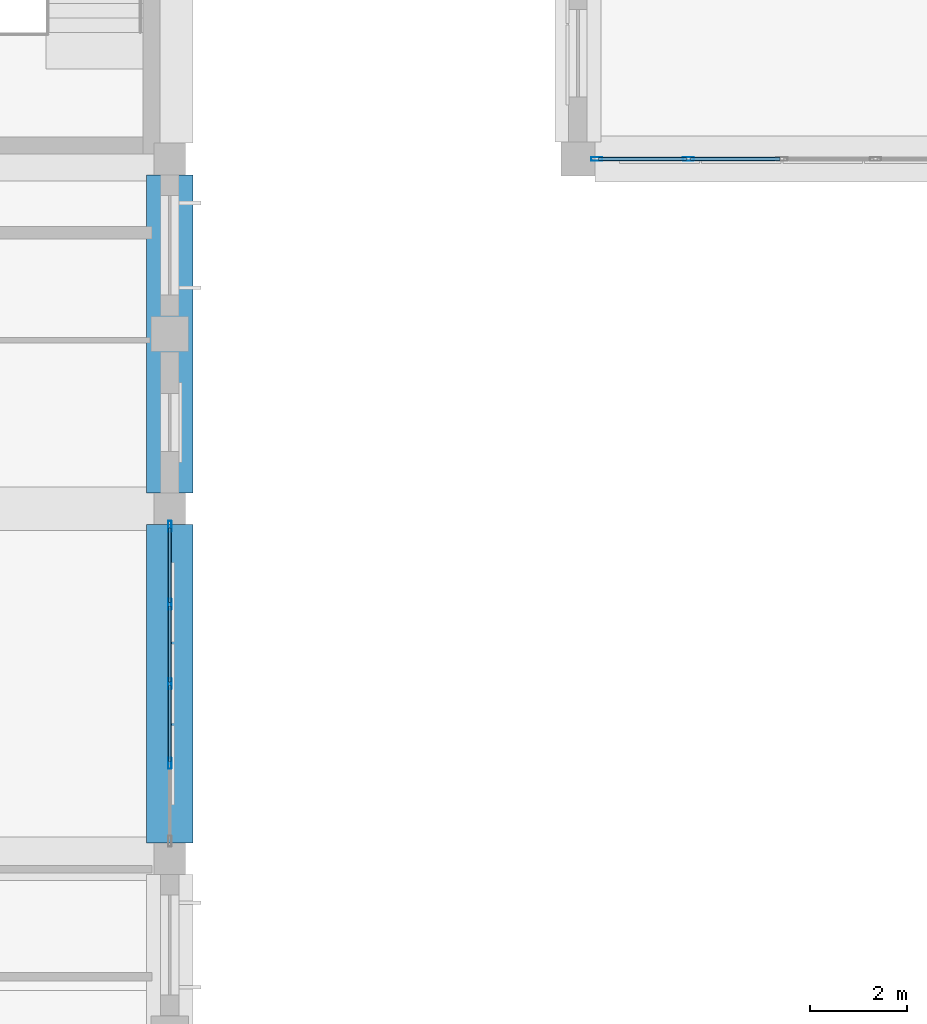
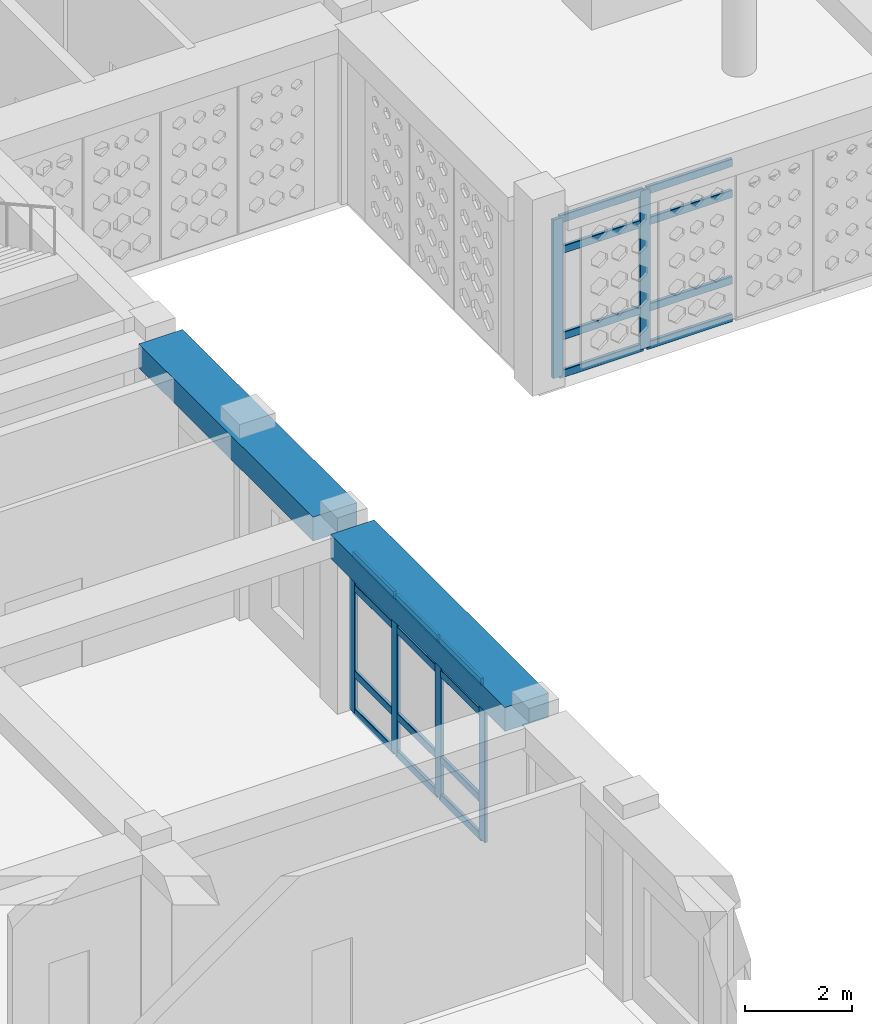
# One storey, part 9 of 79: 26 members, 2 beams, 2 elements without a shape of their own.
"""IFC4 building model written with IfcOpenShell, lengths in metres."""

from ifc_helpers import new_model, si_unit, derived_unit, direction, frame, origin, origin_2d, place, context, subcontext, project, spatial, rectangle, hollow_rectangle, extrude, material, material_profile, profile_set, type_object, element, aggregate, save


model = new_model("IFC4")

# Units and contexts
model_context = context("Model", 3, precision=1e-05, world=origin(), true_north=direction((0.0, 1.0)))
body_context = subcontext(model_context, "Body", "Model", "MODEL_VIEW")
ifc_project = project(units=[si_unit("LENGTHUNIT", "METRE"), si_unit("AREAUNIT", "SQUARE_METRE"), si_unit("VOLUMEUNIT", "CUBIC_METRE"), si_unit("PLANEANGLEUNIT", "RADIAN"), si_unit("MASSUNIT", "GRAM", prefix="KILO"), derived_unit("THERMALTRANSMITTANCEUNIT", [(si_unit("POWERUNIT", "WATT"), 1), (si_unit("LENGTHUNIT", "METRE"), -2), (si_unit("THERMODYNAMICTEMPERATUREUNIT", "KELVIN"), -1)])], contexts=[model_context])

# Site, building, storey
site_placement = place(None, origin())
site = spatial("IfcSite", under=ifc_project, at=site_placement, CompositionType="ELEMENT")
building_placement = place(site_placement, origin())
building = spatial("IfcBuilding", under=site, at=building_placement, Name="Veybourne Emporium", CompositionType="ELEMENT")
storey_placement = place(building_placement, frame((0.0, 0.0, 18.89990234375)))
storey = spatial("IfcBuildingStorey", under=building, at=storey_placement, Name="L04", CompositionType="ELEMENT", Elevation=18.89990234375)

# Curtain wall, members
ifc_material_1 = material(Name="Patinated Architectural Bronze", Category="bronze")
curtain_wall_type_1 = type_object("IfcCurtainWallType", Name="CWSystem_CWS-01", PredefinedType="NOTDEFINED", material=ifc_material_1)
curtain_wall_1_placement = place(storey_placement, origin())
curtain_wall_1 = element("IfcCurtainWall", 1, at=curtain_wall_1_placement, inside=storey, type_object=curtain_wall_type_1, Name="L04 bronze glazed curtain wall CWS-01 (027)", PredefinedType="NOTDEFINED")
ifc_material_profile_1 = material_profile(ifc_material_1, hollow_rectangle(XDim=0.072021484375, YDim=0.22509765625, WallThickness=0.0048828125, InnerFilletRadius=0.007568359375, OuterFilletRadius=0.012451171875, at=origin_2d()), Name="CWM 72x225x5")
ifc_profile_set_1 = profile_set([ifc_material_profile_1], Name="Patinated Architectural Bronze")
member_type_1 = type_object("IfcMemberType", Name="CWMullion_CW-M1", PredefinedType="MULLION", material=ifc_profile_set_1)
member_1_placement = place(storey_placement, frame((50.39990234375, 21.239013671875, 0.0), z_axis=(0.0, 0.0, 1.0), x_axis=(1.0, 0.0, 0.0)))
member_1 = element("IfcMember", 2, at=member_1_placement, type_object=member_type_1, Name="CWS-01 mullion 1", PredefinedType="MULLION", context=body_context, shape_type="SweptSolid", body=[
    extrude(hollow_rectangle(XDim=0.072021484375, YDim=0.22509765625, WallThickness=0.0048828125, InnerFilletRadius=0.007568359375, OuterFilletRadius=0.012451171875, at=origin_2d()), origin(), (0.0, 0.0, 1.0), 3.630126953125),
])
member_2_placement = place(storey_placement, frame((50.39990234375, 19.637451171875, 0.0), z_axis=(0.0, 0.0, 1.0), x_axis=(1.0, 0.0, 0.0)))
member_2 = element("IfcMember", 3, at=member_2_placement, type_object=member_type_1, Name="CWS-01 mullion 2", PredefinedType="MULLION", context=body_context, shape_type="SweptSolid", body=[
    extrude(hollow_rectangle(XDim=0.072021484375, YDim=0.22509765625, WallThickness=0.0048828125, InnerFilletRadius=0.007568359375, OuterFilletRadius=0.012451171875, at=origin_2d()), origin(), (0.0, 0.0, 1.0), 3.630126953125),
])
member_3_placement = place(storey_placement, frame((50.39990234375, 18.0, 0.0), z_axis=(0.0, 0.0, 1.0), x_axis=(1.0, 0.0, 0.0)))
member_3 = element("IfcMember", 4, at=member_3_placement, type_object=member_type_1, Name="CWS-01 mullion 3", PredefinedType="MULLION", context=body_context, shape_type="SweptSolid", body=[
    extrude(hollow_rectangle(XDim=0.072021484375, YDim=0.22509765625, WallThickness=0.0048828125, InnerFilletRadius=0.007568359375, OuterFilletRadius=0.012451171875, at=origin_2d()), origin(), (0.0, 0.0, 1.0), 3.630126953125),
])
member_4_placement = place(storey_placement, frame((50.39990234375, 16.362548828125, 0.0), z_axis=(0.0, 0.0, 1.0), x_axis=(1.0, 0.0, 0.0)))
member_4 = element("IfcMember", 5, at=member_4_placement, type_object=member_type_1, Name="CWS-01 mullion 4", PredefinedType="MULLION", context=body_context, shape_type="SweptSolid", body=[
    extrude(hollow_rectangle(XDim=0.072021484375, YDim=0.22509765625, WallThickness=0.0048828125, InnerFilletRadius=0.007568359375, OuterFilletRadius=0.012451171875, at=origin_2d()), origin(), (0.0, 0.0, 1.0), 3.630126953125),
])

curtain_wall_type_2 = type_object("IfcCurtainWallType", Name="CWSystem_CWS-02", PredefinedType="NOTDEFINED", material=ifc_material_1)
curtain_wall_2_placement = place(storey_placement, origin())
curtain_wall_2 = element("IfcCurtainWall", 6, at=curtain_wall_2_placement, inside=storey, type_object=curtain_wall_type_2, Name="L04 bronze glazed curtain wall CWS-02 (033)", PredefinedType="NOTDEFINED")
ifc_material_profile_2 = material_profile(ifc_material_1, hollow_rectangle(XDim=0.074951171875, YDim=0.22998046875, WallThickness=0.0048828125, InnerFilletRadius=0.007568359375, OuterFilletRadius=0.012451171875, at=origin_2d()), Name="CWM 75x230x5")
ifc_profile_set_2 = profile_set([ifc_material_profile_2], Name="Patinated Architectural Bronze")
member_type_2 = type_object("IfcMemberType", Name="CWMullion_CW-M2", PredefinedType="MULLION", material=ifc_profile_set_2)
member_5_placement = place(storey_placement, frame((61.074951171875, 28.800048828125, 0.0), z_axis=(0.0, 0.0, 1.0), x_axis=(0.0, -1.0, 0.0)))
member_5 = element("IfcMember", 7, at=member_5_placement, type_object=member_type_2, Name="CWS-02 mullion 4", PredefinedType="MULLION", context=body_context, shape_type="SweptSolid", body=[
    extrude(hollow_rectangle(XDim=0.074951171875, YDim=0.22998046875, WallThickness=0.0048828125, InnerFilletRadius=0.007568359375, OuterFilletRadius=0.012451171875, at=origin_2d()), origin(), (0.0, 0.0, 1.0), 3.630126953125),
])
member_6_placement = place(storey_placement, frame((59.1875, 28.800048828125, 0.0), z_axis=(0.0, 0.0, 1.0), x_axis=(0.0, -1.0, 0.0)))
member_6 = element("IfcMember", 8, at=member_6_placement, type_object=member_type_2, Name="CWS-02 mullion 5", PredefinedType="MULLION", context=body_context, shape_type="SweptSolid", body=[
    extrude(hollow_rectangle(XDim=0.074951171875, YDim=0.22998046875, WallThickness=0.0048828125, InnerFilletRadius=0.007568359375, OuterFilletRadius=0.012451171875, at=origin_2d()), origin(), (0.0, 0.0, 1.0), 3.630126953125),
])

# Member
ifc_material_profile_3 = material_profile(ifc_material_1, hollow_rectangle(XDim=0.072021484375, YDim=0.175048828125, WallThickness=0.0048828125, InnerFilletRadius=0.007568359375, OuterFilletRadius=0.012451171875, at=origin_2d()), Name="CWT 72x175x5")
ifc_profile_set_3 = profile_set([ifc_material_profile_3], Name="Patinated Architectural Bronze")
member_type_3 = type_object("IfcMemberType", Name="CWTransom_CW-T1", PredefinedType="NOTDEFINED", material=ifc_profile_set_3)
member_7_placement = place(storey_placement, frame((50.39990234375, 21.202880859375, 0.0361328125), z_axis=(0.0, -1.0, 0.0), x_axis=(1.0, 0.0, 0.0)))
member_7 = element("IfcMember", 9, at=member_7_placement, type_object=member_type_3, Name="CWS-01 transom 1.1", ObjectType="TRANSOM", PredefinedType="USERDEFINED", context=body_context, shape_type="SweptSolid", body=[
    extrude(hollow_rectangle(XDim=0.072021484375, YDim=0.175048828125, WallThickness=0.0048828125, InnerFilletRadius=0.007568359375, OuterFilletRadius=0.012451171875, at=origin_2d()), origin(), (0.0, 0.0, 1.0), 1.529296875),
])

member_8_placement = place(storey_placement, frame((50.39990234375, 21.202880859375, 0.900146484375), z_axis=(0.0, -1.0, 0.0), x_axis=(1.0, 0.0, 0.0)))
member_8 = element("IfcMember", 10, at=member_8_placement, type_object=member_type_3, Name="CWS-01 transom 1.2", ObjectType="TRANSOM", PredefinedType="USERDEFINED", context=body_context, shape_type="SweptSolid", body=[
    extrude(hollow_rectangle(XDim=0.072021484375, YDim=0.175048828125, WallThickness=0.0048828125, InnerFilletRadius=0.007568359375, OuterFilletRadius=0.012451171875, at=origin_2d()), origin(), (0.0, 0.0, 1.0), 1.529296875),
])

member_9_placement = place(storey_placement, frame((50.39990234375, 21.202880859375, 2.880126953125), z_axis=(0.0, -1.0, 0.0), x_axis=(1.0, 0.0, 0.0)))
member_9 = element("IfcMember", 11, at=member_9_placement, type_object=member_type_3, Name="CWS-01 transom 1.3", ObjectType="TRANSOM", PredefinedType="USERDEFINED", context=body_context, shape_type="SweptSolid", body=[
    extrude(hollow_rectangle(XDim=0.072021484375, YDim=0.175048828125, WallThickness=0.0048828125, InnerFilletRadius=0.007568359375, OuterFilletRadius=0.012451171875, at=origin_2d()), origin(), (0.0, 0.0, 1.0), 1.529296875),
])

member_10_placement = place(storey_placement, frame((50.39990234375, 21.202880859375, 3.593994140625), z_axis=(0.0, -1.0, 0.0), x_axis=(1.0, 0.0, 0.0)))
member_10 = element("IfcMember", 12, at=member_10_placement, type_object=member_type_3, Name="CWS-01 transom 1.4", ObjectType="TRANSOM", PredefinedType="USERDEFINED", context=body_context, shape_type="SweptSolid", body=[
    extrude(hollow_rectangle(XDim=0.072021484375, YDim=0.175048828125, WallThickness=0.0048828125, InnerFilletRadius=0.007568359375, OuterFilletRadius=0.012451171875, at=origin_2d()), origin(), (0.0, 0.0, 1.0), 1.529296875),
])

member_11_placement = place(storey_placement, frame((50.39990234375, 19.6015625, 0.0361328125), z_axis=(0.0, -1.0, 0.0), x_axis=(1.0, 0.0, 0.0)))
member_11 = element("IfcMember", 13, at=member_11_placement, type_object=member_type_3, Name="CWS-01 transom 2.1", ObjectType="TRANSOM", PredefinedType="USERDEFINED", context=body_context, shape_type="SweptSolid", body=[
    extrude(hollow_rectangle(XDim=0.072021484375, YDim=0.175048828125, WallThickness=0.0048828125, InnerFilletRadius=0.007568359375, OuterFilletRadius=0.012451171875, at=origin_2d()), origin(), (0.0, 0.0, 1.0), 1.565673828125),
])

member_12_placement = place(storey_placement, frame((50.39990234375, 19.6015625, 0.900146484375), z_axis=(0.0, -1.0, 0.0), x_axis=(1.0, 0.0, 0.0)))
member_12 = element("IfcMember", 14, at=member_12_placement, type_object=member_type_3, Name="CWS-01 transom 2.2", ObjectType="TRANSOM", PredefinedType="USERDEFINED", context=body_context, shape_type="SweptSolid", body=[
    extrude(hollow_rectangle(XDim=0.072021484375, YDim=0.175048828125, WallThickness=0.0048828125, InnerFilletRadius=0.007568359375, OuterFilletRadius=0.012451171875, at=origin_2d()), origin(), (0.0, 0.0, 1.0), 1.565673828125),
])

member_13_placement = place(storey_placement, frame((50.39990234375, 19.6015625, 2.880126953125), z_axis=(0.0, -1.0, 0.0), x_axis=(1.0, 0.0, 0.0)))
member_13 = element("IfcMember", 15, at=member_13_placement, type_object=member_type_3, Name="CWS-01 transom 2.3", ObjectType="TRANSOM", PredefinedType="USERDEFINED", context=body_context, shape_type="SweptSolid", body=[
    extrude(hollow_rectangle(XDim=0.072021484375, YDim=0.175048828125, WallThickness=0.0048828125, InnerFilletRadius=0.007568359375, OuterFilletRadius=0.012451171875, at=origin_2d()), origin(), (0.0, 0.0, 1.0), 1.565673828125),
])

member_14_placement = place(storey_placement, frame((50.39990234375, 19.6015625, 3.593994140625), z_axis=(0.0, -1.0, 0.0), x_axis=(1.0, 0.0, 0.0)))
member_14 = element("IfcMember", 16, at=member_14_placement, type_object=member_type_3, Name="CWS-01 transom 2.4", ObjectType="TRANSOM", PredefinedType="USERDEFINED", context=body_context, shape_type="SweptSolid", body=[
    extrude(hollow_rectangle(XDim=0.072021484375, YDim=0.175048828125, WallThickness=0.0048828125, InnerFilletRadius=0.007568359375, OuterFilletRadius=0.012451171875, at=origin_2d()), origin(), (0.0, 0.0, 1.0), 1.565673828125),
])

member_15_placement = place(storey_placement, frame((50.39990234375, 17.964111328125, 0.0361328125), z_axis=(0.0, -1.0, 0.0), x_axis=(1.0, 0.0, 0.0)))
member_15 = element("IfcMember", 17, at=member_15_placement, type_object=member_type_3, Name="CWS-01 transom 3.1", ObjectType="TRANSOM", PredefinedType="USERDEFINED", context=body_context, shape_type="SweptSolid", body=[
    extrude(hollow_rectangle(XDim=0.072021484375, YDim=0.175048828125, WallThickness=0.0048828125, InnerFilletRadius=0.007568359375, OuterFilletRadius=0.012451171875, at=origin_2d()), origin(), (0.0, 0.0, 1.0), 1.565673828125),
])

member_16_placement = place(storey_placement, frame((50.39990234375, 17.964111328125, 0.900146484375), z_axis=(0.0, -1.0, 0.0), x_axis=(1.0, 0.0, 0.0)))
member_16 = element("IfcMember", 18, at=member_16_placement, type_object=member_type_3, Name="CWS-01 transom 3.2", ObjectType="TRANSOM", PredefinedType="USERDEFINED", context=body_context, shape_type="SweptSolid", body=[
    extrude(hollow_rectangle(XDim=0.072021484375, YDim=0.175048828125, WallThickness=0.0048828125, InnerFilletRadius=0.007568359375, OuterFilletRadius=0.012451171875, at=origin_2d()), origin(), (0.0, 0.0, 1.0), 1.565673828125),
])

member_17_placement = place(storey_placement, frame((50.39990234375, 17.964111328125, 2.880126953125), z_axis=(0.0, -1.0, 0.0), x_axis=(1.0, 0.0, 0.0)))
member_17 = element("IfcMember", 19, at=member_17_placement, type_object=member_type_3, Name="CWS-01 transom 3.3", ObjectType="TRANSOM", PredefinedType="USERDEFINED", context=body_context, shape_type="SweptSolid", body=[
    extrude(hollow_rectangle(XDim=0.072021484375, YDim=0.175048828125, WallThickness=0.0048828125, InnerFilletRadius=0.007568359375, OuterFilletRadius=0.012451171875, at=origin_2d()), origin(), (0.0, 0.0, 1.0), 1.565673828125),
])

member_18_placement = place(storey_placement, frame((50.39990234375, 17.964111328125, 3.593994140625), z_axis=(0.0, -1.0, 0.0), x_axis=(1.0, 0.0, 0.0)))
member_18 = element("IfcMember", 20, at=member_18_placement, type_object=member_type_3, Name="CWS-01 transom 3.4", ObjectType="TRANSOM", PredefinedType="USERDEFINED", context=body_context, shape_type="SweptSolid", body=[
    extrude(hollow_rectangle(XDim=0.072021484375, YDim=0.175048828125, WallThickness=0.0048828125, InnerFilletRadius=0.007568359375, OuterFilletRadius=0.012451171875, at=origin_2d()), origin(), (0.0, 0.0, 1.0), 1.565673828125),
])

aggregate(curtain_wall_1, [member_1, member_2, member_3, member_4, member_7, member_8, member_9, member_10, member_11, member_12, member_13, member_14, member_15, member_16, member_17, member_18])

ifc_material_profile_4 = material_profile(ifc_material_1, hollow_rectangle(XDim=0.074951171875, YDim=0.179931640625, WallThickness=0.0048828125, InnerFilletRadius=0.007568359375, OuterFilletRadius=0.012451171875, at=origin_2d()), Name="CWT 75x180x5")
ifc_profile_set_4 = profile_set([ifc_material_profile_4], Name="Patinated Architectural Bronze")
member_type_4 = type_object("IfcMemberType", Name="CWTransom_CW-T2", PredefinedType="NOTDEFINED", material=ifc_profile_set_4)
member_19_placement = place(storey_placement, frame((62.96240234375, 28.800048828125, 0.03759765625), z_axis=(-1.0, 0.0, 0.0), x_axis=(0.0, -1.0, 0.0)))
member_19 = element("IfcMember", 21, at=member_19_placement, type_object=member_type_4, Name="CWS-02 transom 3.1", ObjectType="TRANSOM", PredefinedType="USERDEFINED", context=body_context, shape_type="SweptSolid", body=[
    extrude(hollow_rectangle(XDim=0.074951171875, YDim=0.179931640625, WallThickness=0.0048828125, InnerFilletRadius=0.007568359375, OuterFilletRadius=0.012451171875, at=origin_2d()), origin(), (0.0, 0.0, 1.0), 1.849853515625),
])

member_20_placement = place(storey_placement, frame((62.96240234375, 28.800048828125, 0.900146484375), z_axis=(-1.0, 0.0, 0.0), x_axis=(0.0, -1.0, 0.0)))
member_20 = element("IfcMember", 22, at=member_20_placement, type_object=member_type_4, Name="CWS-02 transom 3.2", ObjectType="TRANSOM", PredefinedType="USERDEFINED", context=body_context, shape_type="SweptSolid", body=[
    extrude(hollow_rectangle(XDim=0.074951171875, YDim=0.179931640625, WallThickness=0.0048828125, InnerFilletRadius=0.007568359375, OuterFilletRadius=0.012451171875, at=origin_2d()), origin(), (0.0, 0.0, 1.0), 1.849853515625),
])

member_21_placement = place(storey_placement, frame((62.96240234375, 28.800048828125, 2.880126953125), z_axis=(-1.0, 0.0, 0.0), x_axis=(0.0, -1.0, 0.0)))
member_21 = element("IfcMember", 23, at=member_21_placement, type_object=member_type_4, Name="CWS-02 transom 3.3", ObjectType="TRANSOM", PredefinedType="USERDEFINED", context=body_context, shape_type="SweptSolid", body=[
    extrude(hollow_rectangle(XDim=0.074951171875, YDim=0.179931640625, WallThickness=0.0048828125, InnerFilletRadius=0.007568359375, OuterFilletRadius=0.012451171875, at=origin_2d()), origin(), (0.0, 0.0, 1.0), 1.849853515625),
])

member_22_placement = place(storey_placement, frame((62.96240234375, 28.800048828125, 3.592529296875), z_axis=(-1.0, 0.0, 0.0), x_axis=(0.0, -1.0, 0.0)))
member_22 = element("IfcMember", 24, at=member_22_placement, type_object=member_type_4, Name="CWS-02 transom 3.4", ObjectType="TRANSOM", PredefinedType="USERDEFINED", context=body_context, shape_type="SweptSolid", body=[
    extrude(hollow_rectangle(XDim=0.074951171875, YDim=0.179931640625, WallThickness=0.0048828125, InnerFilletRadius=0.007568359375, OuterFilletRadius=0.012451171875, at=origin_2d()), origin(), (0.0, 0.0, 1.0), 1.849853515625),
])

member_23_placement = place(storey_placement, frame((61.03759765625, 28.800048828125, 0.03759765625), z_axis=(-1.0, 0.0, 0.0), x_axis=(0.0, -1.0, 0.0)))
member_23 = element("IfcMember", 25, at=member_23_placement, type_object=member_type_4, Name="CWS-02 transom 4.1", ObjectType="TRANSOM", PredefinedType="USERDEFINED", context=body_context, shape_type="SweptSolid", body=[
    extrude(hollow_rectangle(XDim=0.074951171875, YDim=0.179931640625, WallThickness=0.0048828125, InnerFilletRadius=0.007568359375, OuterFilletRadius=0.012451171875, at=origin_2d()), origin(), (0.0, 0.0, 1.0), 1.8125),
])

member_24_placement = place(storey_placement, frame((61.03759765625, 28.800048828125, 0.900146484375), z_axis=(-1.0, 0.0, 0.0), x_axis=(0.0, -1.0, 0.0)))
member_24 = element("IfcMember", 26, at=member_24_placement, type_object=member_type_4, Name="CWS-02 transom 4.2", ObjectType="TRANSOM", PredefinedType="USERDEFINED", context=body_context, shape_type="SweptSolid", body=[
    extrude(hollow_rectangle(XDim=0.074951171875, YDim=0.179931640625, WallThickness=0.0048828125, InnerFilletRadius=0.007568359375, OuterFilletRadius=0.012451171875, at=origin_2d()), origin(), (0.0, 0.0, 1.0), 1.8125),
])

member_25_placement = place(storey_placement, frame((61.03759765625, 28.800048828125, 2.880126953125), z_axis=(-1.0, 0.0, 0.0), x_axis=(0.0, -1.0, 0.0)))
member_25 = element("IfcMember", 27, at=member_25_placement, type_object=member_type_4, Name="CWS-02 transom 4.3", ObjectType="TRANSOM", PredefinedType="USERDEFINED", context=body_context, shape_type="SweptSolid", body=[
    extrude(hollow_rectangle(XDim=0.074951171875, YDim=0.179931640625, WallThickness=0.0048828125, InnerFilletRadius=0.007568359375, OuterFilletRadius=0.012451171875, at=origin_2d()), origin(), (0.0, 0.0, 1.0), 1.8125),
])

member_26_placement = place(storey_placement, frame((61.03759765625, 28.800048828125, 3.592529296875), z_axis=(-1.0, 0.0, 0.0), x_axis=(0.0, -1.0, 0.0)))
member_26 = element("IfcMember", 28, at=member_26_placement, type_object=member_type_4, Name="CWS-02 transom 4.4", ObjectType="TRANSOM", PredefinedType="USERDEFINED", context=body_context, shape_type="SweptSolid", body=[
    extrude(hollow_rectangle(XDim=0.074951171875, YDim=0.179931640625, WallThickness=0.0048828125, InnerFilletRadius=0.007568359375, OuterFilletRadius=0.012451171875, at=origin_2d()), origin(), (0.0, 0.0, 1.0), 1.8125),
])

aggregate(curtain_wall_2, [member_5, member_6, member_19, member_20, member_21, member_22, member_23, member_24, member_25, member_26])

# Beams
ifc_material_2 = material(Name="Concrete C32/40", Category="concrete")
ifc_material_profile_5 = material_profile(ifc_material_2, rectangle(XDim=0.949951171875, YDim=0.550048828125, at=origin_2d()), Name="RC 950x550")
ifc_profile_set_5 = profile_set([ifc_material_profile_5], Name="Concrete C32/40")
beam_type = type_object("IfcBeamType", Name="RCBeam_EB-01", PredefinedType="SPANDREL", material=ifc_profile_set_5)
beam_1_placement = place(storey_placement, frame((50.39990234375, 14.72509765625, 3.905029296875), z_axis=(0.0, 1.0, 0.0), x_axis=(-1.0, 0.0, 0.0)))
element("IfcBeam", 29, at=beam_1_placement, inside=storey, type_object=beam_type, Name="L04 Y-grid beam EB-01 (6,2)", PredefinedType="SPANDREL", context=body_context, shape_type="SweptSolid", body=[
    extrude(rectangle(XDim=0.949951171875, YDim=0.550048828125, at=origin_2d()), origin(), (0.0, 0.0, 1.0), 6.5498046875),
])
beam_2_placement = place(storey_placement, frame((50.39990234375, 21.925048828125, 3.905029296875), z_axis=(0.0, 1.0, 0.0), x_axis=(-1.0, 0.0, 0.0)))
element("IfcBeam", 30, at=beam_2_placement, inside=storey, type_object=beam_type, Name="L04 Y-grid beam EB-01 (6,3)", PredefinedType="SPANDREL", context=body_context, shape_type="SweptSolid", body=[
    extrude(rectangle(XDim=0.949951171875, YDim=0.550048828125, at=origin_2d()), origin(), (0.0, 0.0, 1.0), 6.550048828125),
])

save(model, "model.ifc")
